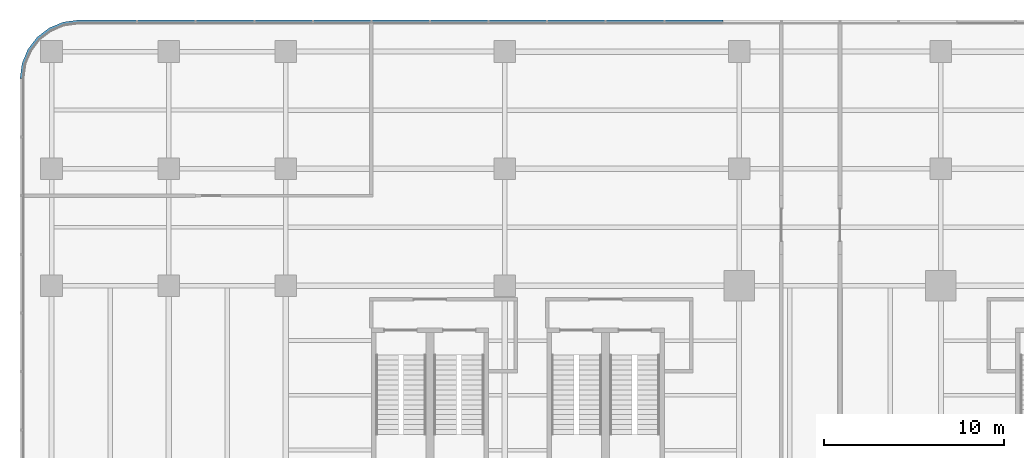
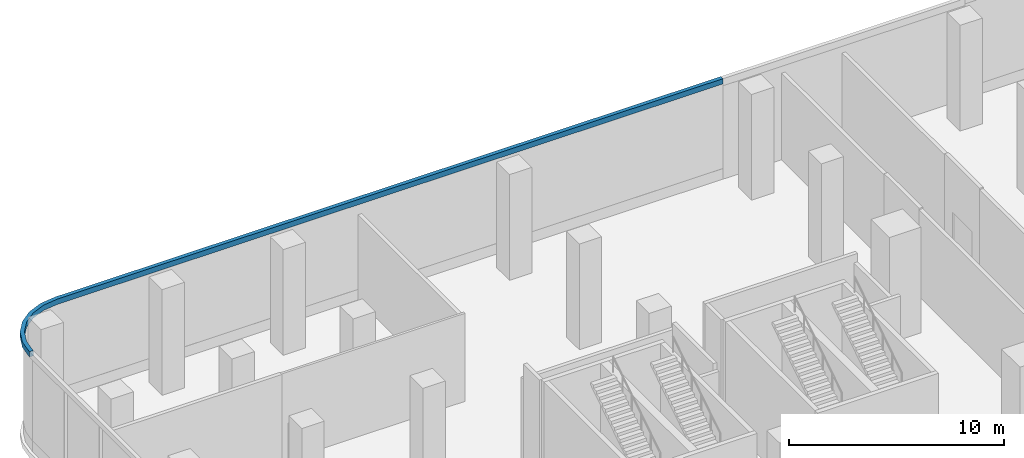
# One storey, part 22 of 41: 1 member, 1 element without a shape of its own.
"""IFC4 building model written with IfcOpenShell, lengths in metres."""

from ifc_helpers import new_model, si_unit, direction, frame, origin, place, context, subcontext, project, spatial, polyline, outline, extrude, material, layer, layer_set, type_object, element, aggregate, save


model = new_model("IFC4")

# Units and contexts
model_context = context("Model", 3, precision=1e-05, world=origin(), true_north=direction((0.0, 1.0)))
body_context = subcontext(model_context, "Body", "Model", "MODEL_VIEW")
ifc_project = project(units=[si_unit("LENGTHUNIT", "METRE"), si_unit("AREAUNIT", "SQUARE_METRE"), si_unit("VOLUMEUNIT", "CUBIC_METRE"), si_unit("PLANEANGLEUNIT", "RADIAN"), si_unit("MASSUNIT", "GRAM", prefix="KILO")], contexts=[model_context])

# Site, building, storey
site_placement = place(None, origin())
site = spatial("IfcSite", under=ifc_project, at=site_placement, CompositionType="ELEMENT")
building_placement = place(site_placement, origin())
building = spatial("IfcBuilding", under=site, at=building_placement, Name="Trellis Farm Tower", CompositionType="ELEMENT")
storey_placement = place(building_placement, frame((0.0, 0.0, 8.0)))
storey = spatial("IfcBuildingStorey", under=building, at=storey_placement, Name="L01", CompositionType="ELEMENT", Elevation=8.0)

# Curtain wall, member
ifc_material_1 = material(Name="Aluminium and glass curtain wall", Category="aluminium")
ifc_layer_1 = layer(ifc_material_1, 0.201904296875)
ifc_layer_set_1 = layer_set([ifc_layer_1], Name="SHOPFRONT CURTAIN WALL CW2")
curtain_wall_type = type_object("IfcCurtainWallType", Name="SHOPFRONT CURTAIN WALL CW2", PredefinedType="NOTDEFINED", material=ifc_layer_set_1)
curtain_wall_placement = place(storey_placement, origin())
curtain_wall = element("IfcCurtainWall", 1, at=curtain_wall_placement, inside=storey, type_object=curtain_wall_type, Name="CW2 004", PredefinedType="NOTDEFINED")
ifc_material_2 = material(Name="Aluminium extrusion 6063-T6", Category="aluminium")
ifc_layer_2 = layer(ifc_material_2, 0.205078125)
ifc_layer_set_2 = layer_set([ifc_layer_2], Name="Aluminium extrusion 6063-T6")
member_type = type_object("IfcMemberType", Name="CW2 TRANSOM 205x300", PredefinedType="USERDEFINED", material=ifc_layer_set_2)
member_placement = place(storey_placement, frame((0.0, 0.0, 5.39990234375)))
member = element("IfcMember", 2, at=member_placement, type_object=member_type, Name="TR2 004", ObjectType="TRANSOM", PredefinedType="USERDEFINED", context=body_context, shape_type="SweptSolid", body=[
    extrude(outline(polyline([(-6.5, 45.5), (-42.25, 45.5), (-43.091064453125, 45.38916015625), (-43.875, 45.064697265625), (-44.548095703125, 44.548095703125), (-45.064697265625, 43.875), (-45.38916015625, 43.091064453125), (-45.5, 42.25), (-45.294921875, 42.236572265625), (-45.189453125, 43.03759765625), (-44.885498046875, 43.771728515625), (-44.40185546875, 44.40185546875), (-43.771728515625, 44.885498046875), (-43.03759765625, 45.189453125), (-42.236572265625, 45.294921875), (-6.5, 45.294921875), (-6.5, 45.5)])), origin(), (0.0, 0.0, 1.0), 0.300048828125),
])
aggregate(curtain_wall, [member])

save(model, "model.ifc")
